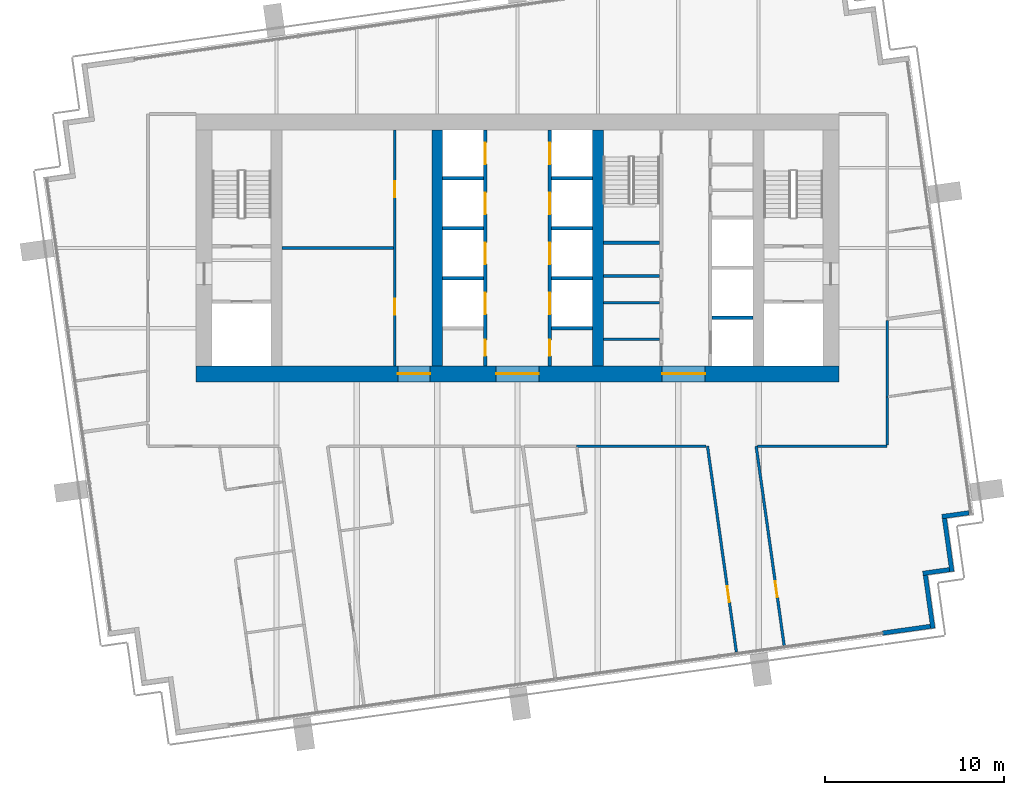
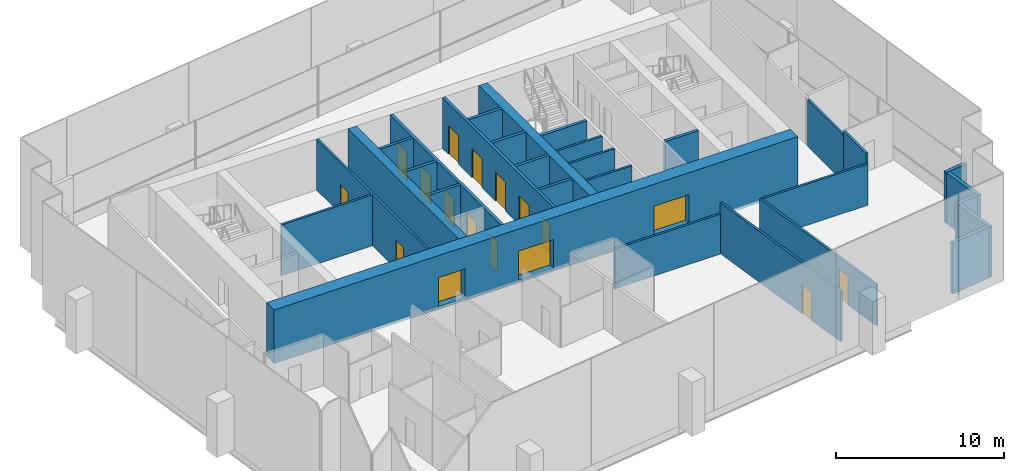
# One storey, part 9 of 15: 30 walls, 17 doors, 17 openings.
"""IFC4 building model written with IfcOpenShell, lengths in metres."""

import ifcopenshell
import ifcopenshell.guid

model = None  # the IFC model being written
_history = None  # IfcOwnerHistory: only IFC2X3 demands one
_inside = {}  # id of a spatial element -> (the spatial element, [elements in it])
_under = {}  # id of a project, library or spatial element -> (it, [spatial elements below it])
_declared = {}  # id of a project -> (the project, [libraries it declares])
_typed = {}  # id of a type object -> (the type object, [elements of that type])
_made_of = {}  # id of a material, layer set ... -> (it, [elements and type objects made of it])


def new_model(schema):
    """Start an empty IFC model of exactly this schema.

    Asked for "IFC4X3", IfcOpenShell would pick the latest addendum, in which some entities
    have other attributes; the version numbers below select the first issue.
    IFC2X3 requires an IfcOwnerHistory on every rooted entity: one is made here for all.
    """
    global model, _history
    if schema == "IFC4X3":
        model = ifcopenshell.file(schema_version=(4, 3, 0, 0))
    else:
        model = ifcopenshell.file(schema=schema)
    _inside.clear()
    _under.clear()
    _declared.clear()
    _typed.clear()
    _made_of.clear()
    _history = None
    if model.schema == "IFC2X3":
        org = make("IfcOrganization", Name="unknown")
        user = make(
            "IfcPersonAndOrganization",
            ThePerson=make("IfcPerson", FamilyName="unknown"),
            TheOrganization=org,
        )
        app = make(
            "IfcApplication",
            ApplicationDeveloper=org,
            Version="unknown",
            ApplicationFullName="unknown",
            ApplicationIdentifier="unknown",
        )
        _history = make(
            "IfcOwnerHistory",
            OwningUser=user,
            OwningApplication=app,
            ChangeAction="ADDED",
            CreationDate=0,
        )
    return model


def make(cls, **values):
    """One entity of the class cls with the attributes given. An attribute that is None is left unset."""
    return model.create_entity(
        cls, **{name: value for name, value in values.items() if value is not None}
    )


def rooted(cls, **values):
    """An entity with a GlobalId (a new one), such as an element, a storey or a relation."""
    return make(cls, GlobalId=ifcopenshell.guid.new(), OwnerHistory=_history, **values)


def si_unit(unit_type, name, prefix=None):
    """IfcSIUnit, for example si_unit("LENGTHUNIT", "METRE", prefix="MILLI")."""
    return make("IfcSIUnit", UnitType=unit_type, Prefix=prefix, Name=name)


def assignment(units):
    """IfcUnitAssignment: the units of a project."""
    return None if units is None else make("IfcUnitAssignment", Units=units)


def point(xyz):
    """IfcCartesianPoint."""
    return None if xyz is None else make("IfcCartesianPoint", Coordinates=xyz)


def direction(xyz):
    """IfcDirection."""
    return None if xyz is None else make("IfcDirection", DirectionRatios=xyz)


def frame(location, z_axis=None, x_axis=None):
    """IfcAxis2Placement3D, a coordinate frame: its origin and axes. An axis left out is left unset."""
    return make(
        "IfcAxis2Placement3D",
        Location=point(location),
        Axis=direction(z_axis),
        RefDirection=direction(x_axis),
    )


def frame_2d(location, x_axis=None):
    """IfcAxis2Placement2D, a coordinate frame in the plane: its origin and x axis."""
    return make(
        "IfcAxis2Placement2D", Location=point(location), RefDirection=direction(x_axis)
    )


def origin():
    """The frame at (0, 0, 0) with its axes left unset."""
    return frame((0.0, 0.0, 0.0))


def place(relative_to, where):
    """IfcLocalPlacement: puts the frame where relative to a parent placement (None: the world)."""
    return make(
        "IfcLocalPlacement", PlacementRelTo=relative_to, RelativePlacement=where
    )


def context(
    kind, dimensions, precision=None, world=None, true_north=None, identifier=None
):
    """IfcGeometricRepresentationContext, for example the 3D "Model" context."""
    return make(
        "IfcGeometricRepresentationContext",
        ContextIdentifier=identifier,
        ContextType=kind,
        CoordinateSpaceDimension=dimensions,
        Precision=precision,
        WorldCoordinateSystem=world,
        TrueNorth=true_north,
    )


def subcontext(parent, identifier, kind, view, scale=None):
    """IfcGeometricRepresentationSubContext, for example "Body" below "Model"."""
    return make(
        "IfcGeometricRepresentationSubContext",
        ContextIdentifier=identifier,
        ContextType=kind,
        ParentContext=parent,
        TargetScale=scale,
        TargetView=view,
    )


def project(units=None, contexts=None):
    """IfcProject with its units and contexts."""
    return rooted(
        "IfcProject",
        Name="project",
        RepresentationContexts=contexts,
        UnitsInContext=assignment(units),
    )


def spatial(cls, under=None, at=None, **own):
    """A site, building, storey or space (cls), placed at a placement, below another one or the project."""
    s = rooted(cls, ObjectPlacement=at, **own)
    if under is not None:
        _under.setdefault(under.id(), (under, []))[1].append(s)
    return s


def profile(cls, at=None, kind="AREA", **sizes):
    """A parametric profile (cls). Its sizes go by their IFC names, for example OverallWidth=200.0."""
    return make(cls, ProfileType=kind, Position=at, **sizes)


def rectangle(**sizes):
    """IfcRectangleProfileDef."""
    return profile("IfcRectangleProfileDef", **sizes)


def extrude(swept, where, along, depth):
    """IfcExtrudedAreaSolid: the profile swept, set in the frame where, extruded along a direction by depth."""
    return make(
        "IfcExtrudedAreaSolid",
        SweptArea=swept,
        Position=where,
        ExtrudedDirection=direction(along),
        Depth=depth,
    )


def shape(context_of_items, identifier, shape_type, items):
    """IfcShapeRepresentation: the items that make up one representation, for example the "Body"."""
    return make(
        "IfcShapeRepresentation",
        ContextOfItems=context_of_items,
        RepresentationIdentifier=identifier,
        RepresentationType=shape_type,
        Items=items,
    )


def material(Name=None, Category=None):
    """IfcMaterial."""
    return make("IfcMaterial", Name=Name, Category=Category)


def layer(
    of_material, thickness, ventilated=None, Name=None, Category=None, Priority=None
):
    """IfcMaterialLayer: one layer of a wall or slab, of a material (None: an air gap)."""
    return make(
        "IfcMaterialLayer",
        Material=of_material,
        LayerThickness=thickness,
        IsVentilated=ventilated,
        Name=Name,
        Category=Category,
        Priority=Priority,
    )


def layer_set(layers, Name=None):
    """IfcMaterialLayerSet."""
    return make("IfcMaterialLayerSet", MaterialLayers=layers, LayerSetName=Name)


def made_of(thing, what):
    """Note that an element or type object is made of a material, layer set ...; save() writes the relation."""
    if what is not None:
        _made_of.setdefault(what.id(), (what, []))[1].append(thing)
    return thing


def type_object(cls, material=None, **own):
    """A type object (cls), such as IfcWallType, which elements share."""
    return made_of(rooted(cls, **own), material)


def element(
    cls,
    number,
    at=None,
    inside=None,
    cuts=None,
    type_object=None,
    material=None,
    context=None,
    identifier="Body",
    shape_type=None,
    held_by="IfcProductDefinitionShape",
    body=None,
    shapes=None,
    **own,
):
    """One element of the class cls, such as IfcWall. Its Tag is "e" and its number.

    at: its placement. inside: the storey or other place that contains it. cuts: it is an
    opening in that element (IfcRelVoidsElement). A single representation is given by context,
    identifier, shape_type and body (its items); several are given by shapes. held_by: the class
    of the entity that holds the representations. save() writes the other relations.
    """
    e = rooted(cls, Tag="e%d" % number, ObjectPlacement=at, **own)
    if body is not None:
        shapes = [shape(context, identifier, shape_type, body)]
    if shapes is not None:
        e.Representation = make(held_by, Representations=shapes)
    if inside is not None:
        _inside.setdefault(inside.id(), (inside, []))[1].append(e)
    if cuts is not None:
        rooted(
            "IfcRelVoidsElement", RelatingBuildingElement=cuts, RelatedOpeningElement=e
        )
    if type_object is not None:
        _typed.setdefault(type_object.id(), (type_object, []))[1].append(e)
    return made_of(e, material)


def fill(opening, filler):
    """IfcRelFillsElement: the door or window that sits in an opening."""
    return rooted(
        "IfcRelFillsElement",
        RelatingOpeningElement=opening,
        RelatedBuildingElement=filler,
    )


def aggregate(whole, parts):
    """IfcRelAggregates: a whole, such as a stair, and the parts it consists of."""
    return rooted("IfcRelAggregates", RelatingObject=whole, RelatedObjects=parts)


def save(model, path):
    """Write the relations noted so far, then the file.

    IfcRelAggregates (storeys below a building ...), IfcRelContainedInSpatialStructure (elements
    in a storey), IfcRelDefinesByType, IfcRelAssociatesMaterial and IfcRelDeclares: one each for
    every whole, place, type object, material and project.
    """
    for whole, parts in _under.values():
        aggregate(whole, parts)
    for where, things in _inside.values():
        rooted(
            "IfcRelContainedInSpatialStructure",
            RelatedElements=things,
            RelatingStructure=where,
        )
    for kind, things in _typed.values():
        rooted("IfcRelDefinesByType", RelatedObjects=things, RelatingType=kind)
    for what, things in _made_of.values():
        rooted("IfcRelAssociatesMaterial", RelatedObjects=things, RelatingMaterial=what)
    for by, libraries in _declared.values():
        rooted("IfcRelDeclares", RelatingContext=by, RelatedDefinitions=libraries)
    model.write(path)


model = new_model("IFC4")

# Units and contexts
model_context = context("Model", 3, precision=1e-05, world=origin(), true_north=direction((0.0, 1.0)))
body_context = subcontext(model_context, "Body", "Model", "MODEL_VIEW")
ifc_project = project(units=[si_unit("LENGTHUNIT", "METRE"), si_unit("AREAUNIT", "SQUARE_METRE"), si_unit("VOLUMEUNIT", "CUBIC_METRE"), si_unit("PLANEANGLEUNIT", "RADIAN"), si_unit("MASSUNIT", "GRAM", prefix="KILO")], contexts=[model_context])

# Site, building, storey
site_placement = place(None, origin())
site = spatial("IfcSite", under=ifc_project, at=site_placement, CompositionType="ELEMENT")
building_placement = place(site_placement, origin())
building = spatial("IfcBuilding", under=site, at=building_placement, Name="Rattan Terrace Tower", CompositionType="ELEMENT")
storey_placement = place(building_placement, frame((0.0, 0.0, 266.800048828125)))
storey = spatial("IfcBuildingStorey", under=building, at=storey_placement, Name="L61", CompositionType="ELEMENT", Elevation=266.800048828125)

# Wall, openings, doors
ifc_material_1 = material(Name="Gypsum board partition")
ifc_layer_1 = layer(ifc_material_1, 0.14990234375)
ifc_layer_set_1 = layer_set([ifc_layer_1], Name="Core partition 150")
wall_type_1 = type_object("IfcWallType", Name="Core partition 150", PredefinedType="PARTITIONING", material=ifc_layer_set_1)
wall_1_placement = place(storey_placement, frame((-6.875, -6.60009765625, 0.0), z_axis=(0.0, 0.0, 1.0), x_axis=(0.0, 1.0, 0.0)))
wall_1 = element("IfcWall", 1, at=wall_1_placement, inside=storey, type_object=wall_type_1, Name="Core room wall", PredefinedType="PARTITIONING", context=body_context, shape_type="SweptSolid", body=[
    extrude(rectangle(XDim=13.2001953125, YDim=0.14990234375, at=frame_2d((6.60009765625, 0.0))), origin(), (0.0, 0.0, 1.0), 3.699951171875),
])
opening_1_placement = place(wall_1_placement, frame((2.85009765625, 0.0, 0.0)))
opening_1 = element("IfcOpeningElement", 2, at=opening_1_placement, cuts=wall_1, Name="Opening L61-D005", PredefinedType="OPENING", context=body_context, shape_type="SweptSolid", body=[
    extrude(rectangle(XDim=0.89990234375, YDim=2.10009765625, at=frame_2d((0.449951171875, 1.050048828125))), frame((0.0, 0.08544921875, 0.0), z_axis=(0.0, -1.0, 0.0), x_axis=(1.0, 0.0, 0.0)), (0.0, 0.0, 1.0), 0.1708984375),
])
opening_2_placement = place(wall_1_placement, frame((9.449951171875, 0.0, 0.0)))
opening_2 = element("IfcOpeningElement", 3, at=opening_2_placement, cuts=wall_1, Name="Opening L61-D006", PredefinedType="OPENING", context=body_context, shape_type="SweptSolid", body=[
    extrude(rectangle(XDim=0.89990234375, YDim=2.10009765625, at=frame_2d((0.449951171875, 1.050048828125))), frame((0.0, 0.08544921875, 0.0), z_axis=(0.0, -1.0, 0.0), x_axis=(1.0, 0.0, 0.0)), (0.0, 0.0, 1.0), 0.1708984375),
])
ifc_material_2 = material(Name="Hollow-metal fire door leaf")
door_type_1 = type_object("IfcDoorType", Name="Core service room door 900", OperationType="NOTDEFINED", PredefinedType="DOOR", material=ifc_material_2)
door_1_placement = place(opening_1_placement, origin())
door_1 = element("IfcDoor", 4, at=door_1_placement, inside=storey, type_object=door_type_1, Name="Door L61-D005", OperationType="SINGLE_SWING_LEFT", OverallHeight=2.10009765625, OverallWidth=0.89990234375, PredefinedType="DOOR", context=body_context, shape_type="SweptSolid", body=[
    extrude(rectangle(XDim=0.89990234375, YDim=2.10009765625, at=frame_2d((0.449951171875, 1.050048828125))), frame((0.0, 0.02490234375, 0.0), z_axis=(0.0, -1.0, 0.0), x_axis=(1.0, 0.0, 0.0)), (0.0, 0.0, 1.0), 0.050048828125),
])
fill(opening_1, door_1)
door_2_placement = place(opening_2_placement, origin())
door_2 = element("IfcDoor", 5, at=door_2_placement, inside=storey, type_object=door_type_1, Name="Door L61-D006", OperationType="SINGLE_SWING_RIGHT", OverallHeight=2.10009765625, OverallWidth=0.89990234375, PredefinedType="DOOR", context=body_context, shape_type="SweptSolid", body=[
    extrude(rectangle(XDim=0.89990234375, YDim=2.10009765625, at=frame_2d((0.449951171875, 1.050048828125))), frame((0.0, 0.02490234375, 0.0), z_axis=(0.0, -1.0, 0.0), x_axis=(1.0, 0.0, 0.0)), (0.0, 0.0, 1.0), 0.050048828125),
])
fill(opening_2, door_2)

# Walls
wall_2_placement = place(storey_placement, frame((-13.199951171875, 0.0, 0.0), z_axis=(0.0, 0.0, 1.0), x_axis=(1.0, 0.0, 0.0)))
element("IfcWall", 6, at=wall_2_placement, inside=storey, type_object=wall_type_1, Name="Core room wall", PredefinedType="PARTITIONING", context=body_context, shape_type="SweptSolid", body=[
    extrude(rectangle(XDim=6.25, YDim=0.14990234375, at=frame_2d((3.125, 0.0))), origin(), (0.0, 0.0, 1.0), 3.699951171875),
])
for number, where, z_axis, x_axis, name in (
    (7, (4.800048828125, -5.10400390625, 0.0), (0.0, 0.0, 1.0), (1.0, 0.0, 0.0), "Toilet wall"),
    (8, (4.800048828125, -3.06396484375, 0.0), (0.0, 0.0, 1.0), (1.0, 0.0, 0.0), "Toilet wall"),
    (9, (4.800048828125, -1.568115234375, 0.0), (0.0, 0.0, 1.0), (1.0, 0.0, 0.0), "Toilet wall"),
):
    element("IfcWall", number, at=place(storey_placement, frame(where, z_axis=z_axis, x_axis=x_axis)), inside=storey, type_object=wall_type_1, Name=name, PredefinedType="PARTITIONING", context=body_context, shape_type="SweptSolid", body=[
        extrude(rectangle(XDim=3.14990234375, YDim=0.14990234375, at=frame_2d((1.574951171875, 0.0))), origin(), (0.0, 0.0, 1.0), 3.699951171875),
    ])
ifc_material_3 = material(Name="Gypsum board partition")
ifc_layer_2 = layer(ifc_material_3, 0.199951171875)
ifc_layer_set_2 = layer_set([ifc_layer_2], Name="Core partition 200")
wall_type_2 = type_object("IfcWallType", Name="Core partition 200", PredefinedType="PARTITIONING", material=ifc_layer_set_2)
wall_3_placement = place(storey_placement, frame((4.800048828125, 0.300048828125, 0.0), z_axis=(0.0, 0.0, 1.0), x_axis=(1.0, 0.0, 0.0)))
element("IfcWall", 10, at=wall_3_placement, inside=storey, type_object=wall_type_2, Name="Stair enclosure wall", PredefinedType="PARTITIONING", context=body_context, shape_type="SweptSolid", body=[
    extrude(rectangle(XDim=3.14990234375, YDim=0.199951171875, at=frame_2d((1.574951171875, 0.0))), origin(), (0.0, 0.0, 1.0), 3.699951171875),
])

# Wall, openings, doors
ifc_material_4 = material(Name="Concrete C50/60", Category="concrete")
ifc_layer_3 = layer(ifc_material_4, 0.89990234375)
ifc_layer_set_3 = layer_set([ifc_layer_3], Name="Core ring wall 900 C50/60")
wall_type_3 = type_object("IfcWallType", Name="Core ring wall 900 C50/60", PredefinedType="SHEAR", material=ifc_layer_set_3)
wall_4_placement = place(storey_placement, frame((-18.0, -7.050048828125, -0.199951171875), z_axis=(0.0, 0.0, 1.0), x_axis=(1.0, 0.0, 0.0)))
wall_4 = element("IfcWall", 11, at=wall_4_placement, inside=storey, type_object=wall_type_3, Name="Rear core wall south", PredefinedType="SHEAR", context=body_context, shape_type="SweptSolid", body=[
    extrude(rectangle(XDim=36.0, YDim=0.89990234375, at=frame_2d((18.0, 0.0))), origin(), (0.0, 0.0, 1.0), 3.89990234375),
])
opening_3_placement = place(wall_4_placement, frame((11.300048828125, 0.0, 0.199951171875)))
opening_3 = element("IfcOpeningElement", 12, at=opening_3_placement, cuts=wall_4, Name="Opening L61-D007", PredefinedType="OPENING", context=body_context, shape_type="SweptSolid", body=[
    extrude(rectangle(XDim=1.800048828125, YDim=2.10009765625, at=frame_2d((0.89990234375, 1.050048828125))), frame((0.0, 0.46044921875, 0.0), z_axis=(0.0, -1.0, 0.0), x_axis=(1.0, 0.0, 0.0)), (0.0, 0.0, 1.0), 0.9208984375),
])
opening_4_placement = place(wall_4_placement, frame((16.800048828125, 0.0, 0.199951171875)))
opening_4 = element("IfcOpeningElement", 13, at=opening_4_placement, cuts=wall_4, Name="Opening L61-D010", PredefinedType="OPENING", context=body_context, shape_type="SweptSolid", body=[
    extrude(rectangle(XDim=2.39990234375, YDim=2.10009765625, at=frame_2d((1.199951171875, 1.050048828125))), frame((0.0, 0.46044921875, 0.0), z_axis=(0.0, -1.0, 0.0), x_axis=(1.0, 0.0, 0.0)), (0.0, 0.0, 1.0), 0.9208984375),
])
opening_5_placement = place(wall_4_placement, frame((26.10009765625, 0.0, 0.199951171875)))
opening_5 = element("IfcOpeningElement", 14, at=opening_5_placement, cuts=wall_4, Name="Opening L61-D016", PredefinedType="OPENING", context=body_context, shape_type="SweptSolid", body=[
    extrude(rectangle(XDim=2.39990234375, YDim=2.10009765625, at=frame_2d((1.199951171875, 1.050048828125))), frame((0.0, 0.46044921875, 0.0), z_axis=(0.0, -1.0, 0.0), x_axis=(1.0, 0.0, 0.0)), (0.0, 0.0, 1.0), 0.9208984375),
])
ifc_material_5 = material(Name="Hollow-metal fire door leaf")
door_type_2 = type_object("IfcDoorType", Name="Core lift lobby door 2400", OperationType="NOTDEFINED", PredefinedType="DOOR", material=ifc_material_5)
door_3_placement = place(opening_4_placement, origin())
door_3 = element("IfcDoor", 15, at=door_3_placement, inside=storey, type_object=door_type_2, Name="Door L61-D010", OperationType="DOUBLE_DOOR_DOUBLE_SWING", OverallHeight=2.10009765625, OverallWidth=2.39990234375, PredefinedType="DOOR", context=body_context, shape_type="SweptSolid", body=[
    extrude(rectangle(XDim=2.39990234375, YDim=2.10009765625, at=frame_2d((1.199951171875, 1.050048828125))), frame((0.0, 0.02490234375, 0.0), z_axis=(0.0, -1.0, 0.0), x_axis=(1.0, 0.0, 0.0)), (0.0, 0.0, 1.0), 0.050048828125),
])
fill(opening_4, door_3)
door_4_placement = place(opening_5_placement, origin())
door_4 = element("IfcDoor", 16, at=door_4_placement, inside=storey, type_object=door_type_2, Name="Door L61-D016", OperationType="DOUBLE_DOOR_DOUBLE_SWING", OverallHeight=2.10009765625, OverallWidth=2.39990234375, PredefinedType="DOOR", context=body_context, shape_type="SweptSolid", body=[
    extrude(rectangle(XDim=2.39990234375, YDim=2.10009765625, at=frame_2d((1.199951171875, 1.050048828125))), frame((0.0, 0.02490234375, 0.0), z_axis=(0.0, -1.0, 0.0), x_axis=(1.0, 0.0, 0.0)), (0.0, 0.0, 1.0), 0.050048828125),
])
fill(opening_5, door_4)
ifc_material_6 = material(Name="Hollow-metal fire door leaf")
door_type_3 = type_object("IfcDoorType", Name="Core service room door 1800", OperationType="NOTDEFINED", PredefinedType="DOOR", material=ifc_material_6)
door_5_placement = place(opening_3_placement, origin())
door_5 = element("IfcDoor", 17, at=door_5_placement, inside=storey, type_object=door_type_3, Name="Door L61-D007", OperationType="SINGLE_SWING_LEFT", OverallHeight=2.10009765625, OverallWidth=1.800048828125, PredefinedType="DOOR", context=body_context, shape_type="SweptSolid", body=[
    extrude(rectangle(XDim=1.800048828125, YDim=2.10009765625, at=frame_2d((0.89990234375, 1.050048828125))), frame((0.0, 0.02490234375, 0.0), z_axis=(0.0, -1.0, 0.0), x_axis=(1.0, 0.0, 0.0)), (0.0, 0.0, 1.0), 0.050048828125),
])
fill(opening_3, door_5)

# Walls
ifc_material_7 = material(Name="Concrete C50/60", Category="concrete")
ifc_layer_4 = layer(ifc_material_7, 0.60009765625)
ifc_layer_set_4 = layer_set([ifc_layer_4], Name="Core spine wall 600 C50/60")
wall_type_4 = type_object("IfcWallType", Name="Core spine wall 600 C50/60", PredefinedType="SHEAR", material=ifc_layer_set_4)
for number, where, z_axis, x_axis, name in (
    (18, (-4.5, -6.60009765625, -0.199951171875), (0.0, 0.0, 1.0), (0.0, 1.0, 0.0), "Core spine wall 2"),
    (19, (4.5, -6.60009765625, -0.199951171875), (0.0, 0.0, 1.0), (0.0, 1.0, 0.0), "Core spine wall 3"),
):
    element("IfcWall", number, at=place(storey_placement, frame(where, z_axis=z_axis, x_axis=x_axis)), inside=storey, type_object=wall_type_4, Name=name, PredefinedType="SHEAR", context=body_context, shape_type="SweptSolid", body=[
        extrude(rectangle(XDim=13.2001953125, YDim=0.60009765625, at=frame_2d((6.60009765625, 0.0))), origin(), (0.0, 0.0, 1.0), 3.89990234375),
    ])
ifc_material_8 = material(Name="Insulated aluminium-clad stud wall", Category="aluminium")
ifc_layer_5 = layer(ifc_material_8, 0.25)
ifc_layer_set_5 = layer_set([ifc_layer_5], Name="Facade Riser Wall 250")
wall_type_5 = type_object("IfcWallType", Name="Facade Riser Wall 250", PredefinedType="SOLIDWALL", material=ifc_layer_set_5)
wall_5_placement = place(storey_placement, frame((20.4404296875, -21.571533203125, 0.0), z_axis=(0.0, 0.0, 1.0), x_axis=(0.990293105353, 0.138994839796, 0.0)))
element("IfcWall", 20, at=wall_5_placement, inside=storey, type_object=wall_type_5, Name="Riser wall L61-1", PredefinedType="SOLIDWALL", context=body_context, shape_type="SweptSolid", body=[
    extrude(rectangle(XDim=2.705078125, YDim=0.25, at=frame_2d((1.3525390625, 0.0))), origin(), (0.0, 0.0, 1.0), 3.699951171875),
])
wall_6_placement = place(storey_placement, frame((23.260498046875, -21.302001953125, 0.0), z_axis=(0.0, 0.0, 1.0), x_axis=(-0.138994228812, 0.990293191109, 0.0)))
element("IfcWall", 21, at=wall_6_placement, inside=storey, type_object=wall_type_5, Name="Riser wall L61-2", PredefinedType="SOLIDWALL", context=body_context, shape_type="SweptSolid", body=[
    extrude(rectangle(XDim=3.0, YDim=0.25, at=frame_2d((1.5, 0.0))), origin(), (0.0, 0.0, 1.0), 3.699951171875),
])
wall_7_placement = place(storey_placement, frame((22.7021484375, -18.224853515625, 0.0), z_axis=(0.0, 0.0, 1.0), x_axis=(0.990243596651, 0.13934711799, 0.0)))
element("IfcWall", 22, at=wall_7_placement, inside=storey, type_object=wall_type_5, Name="Riser wall L61-3", PredefinedType="SOLIDWALL", context=body_context, shape_type="SweptSolid", body=[
    extrude(rectangle(XDim=1.499755859375, YDim=0.25, at=frame_2d((0.75, 0.0))), origin(), (0.0, 0.0, 1.0), 3.699951171875),
])
wall_8_placement = place(storey_placement, frame((24.328369140625, -18.1220703125, 0.0), z_axis=(0.0, 0.0, 1.0), x_axis=(-0.139358350296, 0.990242015975, 0.0)))
element("IfcWall", 23, at=wall_8_placement, inside=storey, type_object=wall_type_5, Name="Riser wall L61-4", PredefinedType="SOLIDWALL", context=body_context, shape_type="SweptSolid", body=[
    extrude(rectangle(XDim=2.999267578125, YDim=0.25, at=frame_2d((1.49951171875, 0.0))), origin(), (0.0, 0.0, 1.0), 3.699951171875),
])
wall_9_placement = place(storey_placement, frame((23.769287109375, -15.045654296875, 0.0), z_axis=(0.0, 0.0, 1.0), x_axis=(0.990260716096, 0.139225407725, 0.0)))
element("IfcWall", 24, at=wall_9_placement, inside=storey, type_object=wall_type_5, Name="Riser wall L61-5", PredefinedType="SOLIDWALL", context=body_context, shape_type="SweptSolid", body=[
    extrude(rectangle(XDim=1.525634765625, YDim=0.25, at=frame_2d((0.7626953125, 0.0))), origin(), (0.0, 0.0, 1.0), 3.699951171875),
])

# Wall, opening, door
ifc_material_9 = material(Name="Gypsum board partition on steel studs, fire rated", Category="steel")
ifc_layer_6 = layer(ifc_material_9, 0.14990234375)
ifc_layer_set_6 = layer_set([ifc_layer_6], Name="Floors Tenancy Wall 150")
wall_type_6 = type_object("IfcWallType", Name="Floors Tenancy Wall 150", PredefinedType="PARTITIONING", material=ifc_layer_set_6)
wall_10_placement = place(storey_placement, frame((13.363037109375, -11.10009765625, 0.0), z_axis=(0.0, 0.0, 1.0), x_axis=(0.139172815303, -0.990268108888, 0.0)))
wall_10 = element("IfcWall", 25, at=wall_10_placement, inside=storey, type_object=wall_type_6, Name="pt-L61-008", PredefinedType="PARTITIONING", context=body_context, shape_type="SweptSolid", body=[
    extrude(rectangle(XDim=11.265625, YDim=0.14990234375, at=frame_2d((5.6328125, 0.0))), origin(), (0.0, 0.0, 1.0), 3.0),
])
opening_6_placement = place(wall_10_placement, frame((7.64892578125, 0.0, 0.0)))
opening_6 = element("IfcOpeningElement", 26, at=opening_6_placement, cuts=wall_10, Name="Opening L61-D104", PredefinedType="OPENING", context=body_context, shape_type="SweptSolid", body=[
    extrude(rectangle(XDim=0.89990234375, YDim=2.10009765625, at=frame_2d((0.449951171875, 1.050048828125))), frame((0.0, 0.08544921875, 0.0), z_axis=(0.0, -1.0, 0.0), x_axis=(1.0, 0.0, 0.0)), (0.0, 0.0, 1.0), 0.1708984375),
])
ifc_material_10 = material(Name="Steel fire door set", Category="steel")
door_type_4 = type_object("IfcDoorType", Name="Floors Fire Door FD30S 900x2100", OperationType="NOTDEFINED", PredefinedType="DOOR", material=ifc_material_10)
door_6_placement = place(opening_6_placement, origin())
door_6 = element("IfcDoor", 27, at=door_6_placement, inside=storey, type_object=door_type_4, Name="d-L61-104", OperationType="SINGLE_SWING_RIGHT", OverallHeight=2.10009765625, OverallWidth=0.89990234375, PredefinedType="DOOR", context=body_context, shape_type="SweptSolid", body=[
    extrude(rectangle(XDim=0.89990234375, YDim=2.10009765625, at=frame_2d((0.449951171875, 1.050048828125))), frame((0.0, 0.02490234375, 0.0), z_axis=(0.0, -1.0, 0.0), x_axis=(1.0, 0.0, 0.0)), (0.0, 0.0, 1.0), 0.050048828125),
])
fill(opening_6, door_6)

# Walls
wall_11_placement = place(storey_placement, frame((20.699951171875, -11.10009765625, 0.0), z_axis=(0.0, 0.0, 1.0), x_axis=(-1.0, 0.0, 0.0)))
element("IfcWall", 28, at=wall_11_placement, inside=storey, type_object=wall_type_6, Name="pt-L61-009", PredefinedType="PARTITIONING", context=body_context, shape_type="SweptSolid", body=[
    extrude(rectangle(XDim=7.2509765625, YDim=0.14990234375, at=frame_2d((3.62548828125, 0.0))), origin(), (0.0, 0.0, 1.0), 3.0),
])
wall_12_placement = place(storey_placement, frame((20.700927734375, -8.35791015625, 0.0), z_axis=(0.0, 0.0, 1.0), x_axis=(0.0, -1.0, 0.0)))
element("IfcWall", 29, at=wall_12_placement, inside=storey, type_object=wall_type_6, Name="pt-L61-010", PredefinedType="PARTITIONING", context=body_context, shape_type="SweptSolid", body=[
    extrude(rectangle(XDim=2.6669921875, YDim=0.14990234375, at=frame_2d((1.33349609375, 0.0))), origin(), (0.0, 0.0, 1.0), 3.699951171875),
])
wall_13_placement = place(storey_placement, frame((20.699951171875, -4.068115234375, 0.0), z_axis=(0.0, 0.0, 1.0), x_axis=(0.0, -1.0, 0.0)))
element("IfcWall", 30, at=wall_13_placement, inside=storey, type_object=wall_type_6, Name="pt-L61-011", PredefinedType="PARTITIONING", context=body_context, shape_type="SweptSolid", body=[
    extrude(rectangle(XDim=4.289794921875, YDim=0.14990234375, at=frame_2d((2.14501953125, 0.0))), origin(), (0.0, 0.0, 1.0), 3.39990234375),
])
wall_14_placement = place(storey_placement, frame((10.56298828125, -11.10009765625, 0.0), z_axis=(0.0, 0.0, 1.0), x_axis=(-1.0, 0.0, 0.0)))
element("IfcWall", 31, at=wall_14_placement, inside=storey, type_object=wall_type_6, Name="pt-L61-023", PredefinedType="PARTITIONING", context=body_context, shape_type="SweptSolid", body=[
    extrude(rectangle(XDim=7.26708984375, YDim=0.14990234375, at=frame_2d((3.633544921875, 0.0))), origin(), (0.0, 0.0, 1.0), 2.89990234375),
])

# Wall, opening, door
wall_15_placement = place(storey_placement, frame((12.257080078125, -22.631103515625, 0.0), z_axis=(0.0, 0.0, 1.0), x_axis=(-0.139134361512, 0.990273512443, 0.0)))
wall_15 = element("IfcWall", 32, at=wall_15_placement, inside=storey, type_object=wall_type_6, Name="pt-L61-024", PredefinedType="PARTITIONING", context=body_context, shape_type="SweptSolid", body=[
    extrude(rectangle(XDim=11.644287109375, YDim=0.14990234375, at=frame_2d((5.822265625, 0.0))), origin(), (0.0, 0.0, 1.0), 3.699951171875),
])
opening_7_placement = place(wall_15_placement, frame((2.81103515625, 0.0, 0.0)))
opening_7 = element("IfcOpeningElement", 33, at=opening_7_placement, cuts=wall_15, Name="Opening L61-D112", PredefinedType="OPENING", context=body_context, shape_type="SweptSolid", body=[
    extrude(rectangle(XDim=0.89990234375, YDim=2.10009765625, at=frame_2d((0.449951171875, 1.050048828125))), frame((0.0, 0.08544921875, 0.0), z_axis=(0.0, -1.0, 0.0), x_axis=(1.0, 0.0, 0.0)), (0.0, 0.0, 1.0), 0.1708984375),
])
door_7_placement = place(opening_7_placement, origin())
door_7 = element("IfcDoor", 34, at=door_7_placement, inside=storey, type_object=door_type_4, Name="d-L61-112", OperationType="SINGLE_SWING_LEFT", OverallHeight=2.10009765625, OverallWidth=0.89990234375, PredefinedType="DOOR", context=body_context, shape_type="SweptSolid", body=[
    extrude(rectangle(XDim=0.89990234375, YDim=2.10009765625, at=frame_2d((0.449951171875, 1.050048828125))), frame((0.0, 0.02490234375, 0.0), z_axis=(0.0, -1.0, 0.0), x_axis=(1.0, 0.0, 0.0)), (0.0, 0.0, 1.0), 0.050048828125),
])
fill(opening_7, door_7)

# Wall, openings, doors
ifc_material_11 = material(Name="Gypsum shaft wall system")
ifc_layer_7 = layer(ifc_material_11, 0.199951171875)
ifc_layer_set_7 = layer_set([ifc_layer_7], Name="Lift shaft wall 200")
wall_type_7 = type_object("IfcWallType", Name="Lift shaft wall 200", PredefinedType="PARTITIONING", material=ifc_layer_set_7)
wall_16_placement = place(storey_placement, frame((-1.800048828125, -6.60009765625, 0.0), z_axis=(0.0, 0.0, 1.0), x_axis=(0.0, 1.0, 0.0)))
wall_16 = element("IfcWall", 35, at=wall_16_placement, inside=storey, type_object=wall_type_7, Name="Lift shaft front wall", PredefinedType="PARTITIONING", context=body_context, shape_type="SweptSolid", body=[
    extrude(rectangle(XDim=13.2001953125, YDim=0.199951171875, at=frame_2d((6.60009765625, 0.0))), origin(), (0.0, 0.0, 1.0), 3.699951171875),
])
opening_8_placement = place(wall_16_placement, frame((0.550048828125, 0.0, 0.0)))
opening_8 = element("IfcOpeningElement", 36, at=opening_8_placement, cuts=wall_16, Name="Opening L61-D008", PredefinedType="OPENING", context=body_context, shape_type="SweptSolid", body=[
    extrude(rectangle(XDim=0.89990234375, YDim=2.10009765625, at=frame_2d((0.449951171875, 1.050048828125))), frame((0.0, 0.110595703125, 0.0), z_axis=(0.0, -1.0, 0.0), x_axis=(1.0, 0.0, 0.0)), (0.0, 0.0, 1.0), 0.220947265625),
])
opening_9_placement = place(wall_16_placement, frame((2.89990234375, 0.0, 0.0)))
opening_9 = element("IfcOpeningElement", 37, at=opening_9_placement, cuts=wall_16, Name="Opening L61-LD-HR1", PredefinedType="OPENING", context=body_context, shape_type="SweptSolid", body=[
    extrude(rectangle(XDim=1.199951171875, YDim=2.10009765625, at=frame_2d((0.60009765625, 1.050048828125))), frame((0.0, 0.110595703125, 0.0), z_axis=(0.0, -1.0, 0.0), x_axis=(1.0, 0.0, 0.0)), (0.0, 0.0, 1.0), 0.220947265625),
])
opening_10_placement = place(wall_16_placement, frame((5.699951171875, 0.0, 0.0)))
opening_10 = element("IfcOpeningElement", 38, at=opening_10_placement, cuts=wall_16, Name="Opening L61-LD-HR2", PredefinedType="OPENING", context=body_context, shape_type="SweptSolid", body=[
    extrude(rectangle(XDim=1.199951171875, YDim=2.10009765625, at=frame_2d((0.60009765625, 1.050048828125))), frame((0.0, 0.110595703125, 0.0), z_axis=(0.0, -1.0, 0.0), x_axis=(1.0, 0.0, 0.0)), (0.0, 0.0, 1.0), 0.220947265625),
])
opening_11_placement = place(wall_16_placement, frame((8.5, 0.0, 0.0)))
opening_11 = element("IfcOpeningElement", 39, at=opening_11_placement, cuts=wall_16, Name="Opening L61-LD-HR3", PredefinedType="OPENING", context=body_context, shape_type="SweptSolid", body=[
    extrude(rectangle(XDim=1.199951171875, YDim=2.10009765625, at=frame_2d((0.60009765625, 1.050048828125))), frame((0.0, 0.110595703125, 0.0), z_axis=(0.0, -1.0, 0.0), x_axis=(1.0, 0.0, 0.0)), (0.0, 0.0, 1.0), 0.220947265625),
])
opening_12_placement = place(wall_16_placement, frame((11.300048828125, 0.0, 0.0)))
opening_12 = element("IfcOpeningElement", 40, at=opening_12_placement, cuts=wall_16, Name="Opening L61-LD-HR4", PredefinedType="OPENING", context=body_context, shape_type="SweptSolid", body=[
    extrude(rectangle(XDim=1.199951171875, YDim=2.10009765625, at=frame_2d((0.60009765625, 1.050048828125))), frame((0.0, 0.110595703125, 0.0), z_axis=(0.0, -1.0, 0.0), x_axis=(1.0, 0.0, 0.0)), (0.0, 0.0, 1.0), 0.220947265625),
])
ifc_material_12 = material(Name="Brushed stainless landing door panel")
door_type_5 = type_object("IfcDoorType", Name="Core lift landing door 1200", OperationType="DOUBLE_DOOR_SLIDING", PredefinedType="DOOR", material=ifc_material_12)
door_8_placement = place(opening_9_placement, origin())
door_8 = element("IfcDoor", 41, at=door_8_placement, inside=storey, type_object=door_type_5, Name="Door L61-LD-HR1", OperationType="DOUBLE_DOOR_SLIDING", OverallHeight=2.10009765625, OverallWidth=1.199951171875, PredefinedType="DOOR", context=body_context, shape_type="SweptSolid", body=[
    extrude(rectangle(XDim=1.199951171875, YDim=2.10009765625, at=frame_2d((0.60009765625, 1.050048828125))), frame((0.0, 0.02490234375, 0.0), z_axis=(0.0, -1.0, 0.0), x_axis=(1.0, 0.0, 0.0)), (0.0, 0.0, 1.0), 0.050048828125),
])
fill(opening_9, door_8)
door_9_placement = place(opening_10_placement, origin())
door_9 = element("IfcDoor", 42, at=door_9_placement, inside=storey, type_object=door_type_5, Name="Door L61-LD-HR2", OperationType="DOUBLE_DOOR_SLIDING", OverallHeight=2.10009765625, OverallWidth=1.199951171875, PredefinedType="DOOR", context=body_context, shape_type="SweptSolid", body=[
    extrude(rectangle(XDim=1.199951171875, YDim=2.10009765625, at=frame_2d((0.60009765625, 1.050048828125))), frame((0.0, 0.02490234375, 0.0), z_axis=(0.0, -1.0, 0.0), x_axis=(1.0, 0.0, 0.0)), (0.0, 0.0, 1.0), 0.050048828125),
])
fill(opening_10, door_9)
door_10_placement = place(opening_11_placement, origin())
door_10 = element("IfcDoor", 43, at=door_10_placement, inside=storey, type_object=door_type_5, Name="Door L61-LD-HR3", OperationType="DOUBLE_DOOR_SLIDING", OverallHeight=2.10009765625, OverallWidth=1.199951171875, PredefinedType="DOOR", context=body_context, shape_type="SweptSolid", body=[
    extrude(rectangle(XDim=1.199951171875, YDim=2.10009765625, at=frame_2d((0.60009765625, 1.050048828125))), frame((0.0, 0.02490234375, 0.0), z_axis=(0.0, -1.0, 0.0), x_axis=(1.0, 0.0, 0.0)), (0.0, 0.0, 1.0), 0.050048828125),
])
fill(opening_11, door_10)
door_11_placement = place(opening_12_placement, origin())
door_11 = element("IfcDoor", 44, at=door_11_placement, inside=storey, type_object=door_type_5, Name="Door L61-LD-HR4", OperationType="DOUBLE_DOOR_SLIDING", OverallHeight=2.10009765625, OverallWidth=1.199951171875, PredefinedType="DOOR", context=body_context, shape_type="SweptSolid", body=[
    extrude(rectangle(XDim=1.199951171875, YDim=2.10009765625, at=frame_2d((0.60009765625, 1.050048828125))), frame((0.0, 0.02490234375, 0.0), z_axis=(0.0, -1.0, 0.0), x_axis=(1.0, 0.0, 0.0)), (0.0, 0.0, 1.0), 0.050048828125),
])
fill(opening_12, door_11)
ifc_material_13 = material(Name="Hollow-metal fire door leaf")
door_type_6 = type_object("IfcDoorType", Name="Core riser door 900", OperationType="NOTDEFINED", PredefinedType="DOOR", material=ifc_material_13)
door_12_placement = place(opening_8_placement, origin())
door_12 = element("IfcDoor", 45, at=door_12_placement, inside=storey, type_object=door_type_6, Name="Door L61-D008", OperationType="SINGLE_SWING_RIGHT", OverallHeight=2.10009765625, OverallWidth=0.89990234375, PredefinedType="DOOR", context=body_context, shape_type="SweptSolid", body=[
    extrude(rectangle(XDim=0.89990234375, YDim=2.10009765625, at=frame_2d((0.449951171875, 1.050048828125))), frame((0.0, 0.02490234375, 0.0), z_axis=(0.0, -1.0, 0.0), x_axis=(1.0, 0.0, 0.0)), (0.0, 0.0, 1.0), 0.050048828125),
])
fill(opening_8, door_12)

wall_17_placement = place(storey_placement, frame((1.800048828125, -6.60009765625, 0.0), z_axis=(0.0, 0.0, 1.0), x_axis=(0.0, 1.0, 0.0)))
wall_17 = element("IfcWall", 46, at=wall_17_placement, inside=storey, type_object=wall_type_7, Name="Lift shaft front wall", PredefinedType="PARTITIONING", context=body_context, shape_type="SweptSolid", body=[
    extrude(rectangle(XDim=13.2001953125, YDim=0.199951171875, at=frame_2d((6.60009765625, 0.0))), origin(), (0.0, 0.0, 1.0), 3.699951171875),
])
opening_13_placement = place(wall_17_placement, frame((0.550048828125, 0.0, 0.0)))
opening_13 = element("IfcOpeningElement", 47, at=opening_13_placement, cuts=wall_17, Name="Opening L61-D009", PredefinedType="OPENING", context=body_context, shape_type="SweptSolid", body=[
    extrude(rectangle(XDim=0.89990234375, YDim=2.10009765625, at=frame_2d((0.449951171875, 1.050048828125))), frame((0.0, 0.110595703125, 0.0), z_axis=(0.0, -1.0, 0.0), x_axis=(1.0, 0.0, 0.0)), (0.0, 0.0, 1.0), 0.220947265625),
])
opening_14_placement = place(wall_17_placement, frame((2.89990234375, 0.0, 0.0)))
opening_14 = element("IfcOpeningElement", 48, at=opening_14_placement, cuts=wall_17, Name="Opening L61-LD-HR5", PredefinedType="OPENING", context=body_context, shape_type="SweptSolid", body=[
    extrude(rectangle(XDim=1.199951171875, YDim=2.10009765625, at=frame_2d((0.60009765625, 1.050048828125))), frame((0.0, 0.110595703125, 0.0), z_axis=(0.0, -1.0, 0.0), x_axis=(1.0, 0.0, 0.0)), (0.0, 0.0, 1.0), 0.220947265625),
])
opening_15_placement = place(wall_17_placement, frame((5.699951171875, 0.0, 0.0)))
opening_15 = element("IfcOpeningElement", 49, at=opening_15_placement, cuts=wall_17, Name="Opening L61-LD-HR6", PredefinedType="OPENING", context=body_context, shape_type="SweptSolid", body=[
    extrude(rectangle(XDim=1.199951171875, YDim=2.10009765625, at=frame_2d((0.60009765625, 1.050048828125))), frame((0.0, 0.110595703125, 0.0), z_axis=(0.0, -1.0, 0.0), x_axis=(1.0, 0.0, 0.0)), (0.0, 0.0, 1.0), 0.220947265625),
])
opening_16_placement = place(wall_17_placement, frame((8.5, 0.0, 0.0)))
opening_16 = element("IfcOpeningElement", 50, at=opening_16_placement, cuts=wall_17, Name="Opening L61-LD-HR7", PredefinedType="OPENING", context=body_context, shape_type="SweptSolid", body=[
    extrude(rectangle(XDim=1.199951171875, YDim=2.10009765625, at=frame_2d((0.60009765625, 1.050048828125))), frame((0.0, 0.110595703125, 0.0), z_axis=(0.0, -1.0, 0.0), x_axis=(1.0, 0.0, 0.0)), (0.0, 0.0, 1.0), 0.220947265625),
])
opening_17_placement = place(wall_17_placement, frame((11.300048828125, 0.0, 0.0)))
opening_17 = element("IfcOpeningElement", 51, at=opening_17_placement, cuts=wall_17, Name="Opening L61-LD-HR8", PredefinedType="OPENING", context=body_context, shape_type="SweptSolid", body=[
    extrude(rectangle(XDim=1.199951171875, YDim=2.10009765625, at=frame_2d((0.60009765625, 1.050048828125))), frame((0.0, 0.110595703125, 0.0), z_axis=(0.0, -1.0, 0.0), x_axis=(1.0, 0.0, 0.0)), (0.0, 0.0, 1.0), 0.220947265625),
])
door_13_placement = place(opening_14_placement, origin())
door_13 = element("IfcDoor", 52, at=door_13_placement, inside=storey, type_object=door_type_5, Name="Door L61-LD-HR5", OperationType="DOUBLE_DOOR_SLIDING", OverallHeight=2.10009765625, OverallWidth=1.199951171875, PredefinedType="DOOR", context=body_context, shape_type="SweptSolid", body=[
    extrude(rectangle(XDim=1.199951171875, YDim=2.10009765625, at=frame_2d((0.60009765625, 1.050048828125))), frame((0.0, 0.02490234375, 0.0), z_axis=(0.0, -1.0, 0.0), x_axis=(1.0, 0.0, 0.0)), (0.0, 0.0, 1.0), 0.050048828125),
])
fill(opening_14, door_13)
door_14_placement = place(opening_15_placement, origin())
door_14 = element("IfcDoor", 53, at=door_14_placement, inside=storey, type_object=door_type_5, Name="Door L61-LD-HR6", OperationType="DOUBLE_DOOR_SLIDING", OverallHeight=2.10009765625, OverallWidth=1.199951171875, PredefinedType="DOOR", context=body_context, shape_type="SweptSolid", body=[
    extrude(rectangle(XDim=1.199951171875, YDim=2.10009765625, at=frame_2d((0.60009765625, 1.050048828125))), frame((0.0, 0.02490234375, 0.0), z_axis=(0.0, -1.0, 0.0), x_axis=(1.0, 0.0, 0.0)), (0.0, 0.0, 1.0), 0.050048828125),
])
fill(opening_15, door_14)
door_15_placement = place(opening_16_placement, origin())
door_15 = element("IfcDoor", 54, at=door_15_placement, inside=storey, type_object=door_type_5, Name="Door L61-LD-HR7", OperationType="DOUBLE_DOOR_SLIDING", OverallHeight=2.10009765625, OverallWidth=1.199951171875, PredefinedType="DOOR", context=body_context, shape_type="SweptSolid", body=[
    extrude(rectangle(XDim=1.199951171875, YDim=2.10009765625, at=frame_2d((0.60009765625, 1.050048828125))), frame((0.0, 0.02490234375, 0.0), z_axis=(0.0, -1.0, 0.0), x_axis=(1.0, 0.0, 0.0)), (0.0, 0.0, 1.0), 0.050048828125),
])
fill(opening_16, door_15)
door_16_placement = place(opening_17_placement, origin())
door_16 = element("IfcDoor", 55, at=door_16_placement, inside=storey, type_object=door_type_5, Name="Door L61-LD-HR8", OperationType="DOUBLE_DOOR_SLIDING", OverallHeight=2.10009765625, OverallWidth=1.199951171875, PredefinedType="DOOR", context=body_context, shape_type="SweptSolid", body=[
    extrude(rectangle(XDim=1.199951171875, YDim=2.10009765625, at=frame_2d((0.60009765625, 1.050048828125))), frame((0.0, 0.02490234375, 0.0), z_axis=(0.0, -1.0, 0.0), x_axis=(1.0, 0.0, 0.0)), (0.0, 0.0, 1.0), 0.050048828125),
])
fill(opening_17, door_16)
door_17_placement = place(opening_13_placement, origin())
door_17 = element("IfcDoor", 56, at=door_17_placement, inside=storey, type_object=door_type_6, Name="Door L61-D009", OperationType="SINGLE_SWING_LEFT", OverallHeight=2.10009765625, OverallWidth=0.89990234375, PredefinedType="DOOR", context=body_context, shape_type="SweptSolid", body=[
    extrude(rectangle(XDim=0.89990234375, YDim=2.10009765625, at=frame_2d((0.449951171875, 1.050048828125))), frame((0.0, 0.02490234375, 0.0), z_axis=(0.0, -1.0, 0.0), x_axis=(1.0, 0.0, 0.0)), (0.0, 0.0, 1.0), 0.050048828125),
])
fill(opening_13, door_17)

# Walls
for number, where, z_axis, x_axis, name in (
    (57, (-4.199951171875, -1.699951171875, 0.0), (0.0, 0.0, 1.0), (1.0, 0.0, 0.0), "Lift shaft wall"),
    (58, (-4.199951171875, 1.10009765625, 0.0), (0.0, 0.0, 1.0), (1.0, 0.0, 0.0), "Lift shaft wall"),
    (59, (-4.199951171875, 3.89990234375, 0.0), (0.0, 0.0, 1.0), (1.0, 0.0, 0.0), "Lift shaft wall"),
    (60, (1.89990234375, -1.699951171875, 0.0), (0.0, 0.0, 1.0), (1.0, 0.0, 0.0), "Lift shaft wall"),
    (61, (1.89990234375, 1.10009765625, 0.0), (0.0, 0.0, 1.0), (1.0, 0.0, 0.0), "Lift shaft wall"),
    (62, (1.89990234375, 3.89990234375, 0.0), (0.0, 0.0, 1.0), (1.0, 0.0, 0.0), "Lift shaft wall"),
    (63, (1.89990234375, -4.5, 0.0), (0.0, 0.0, 1.0), (1.0, 0.0, 0.0), "Lift shaft wall"),
    (64, (10.89990234375, -3.89990234375, 0.0), (0.0, 0.0, 1.0), (1.0, 0.0, 0.0), "Lift shaft wall"),
):
    element("IfcWall", number, at=place(storey_placement, frame(where, z_axis=z_axis, x_axis=x_axis)), inside=storey, type_object=wall_type_7, Name=name, PredefinedType="PARTITIONING", context=body_context, shape_type="SweptSolid", body=[
        extrude(rectangle(XDim=2.300048828125, YDim=0.199951171875, at=frame_2d((1.14990234375, 0.0))), origin(), (0.0, 0.0, 1.0), 3.699951171875),
    ])

save(model, "model.ifc")
